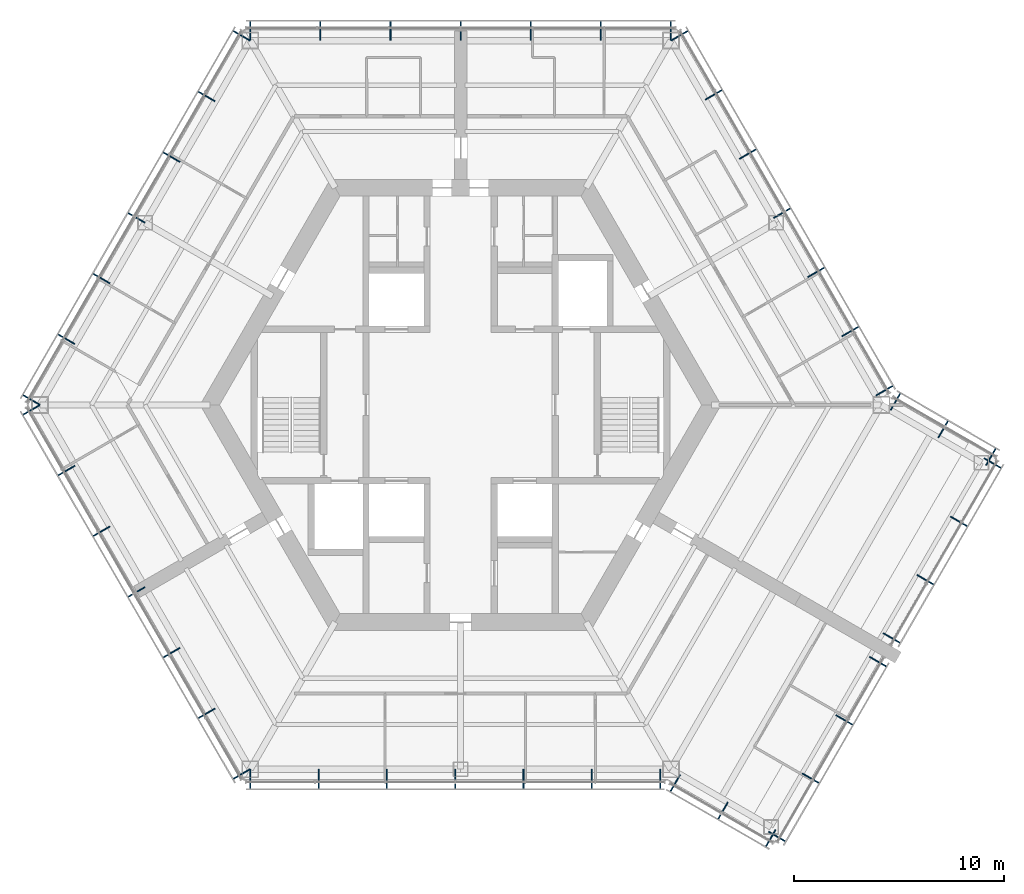
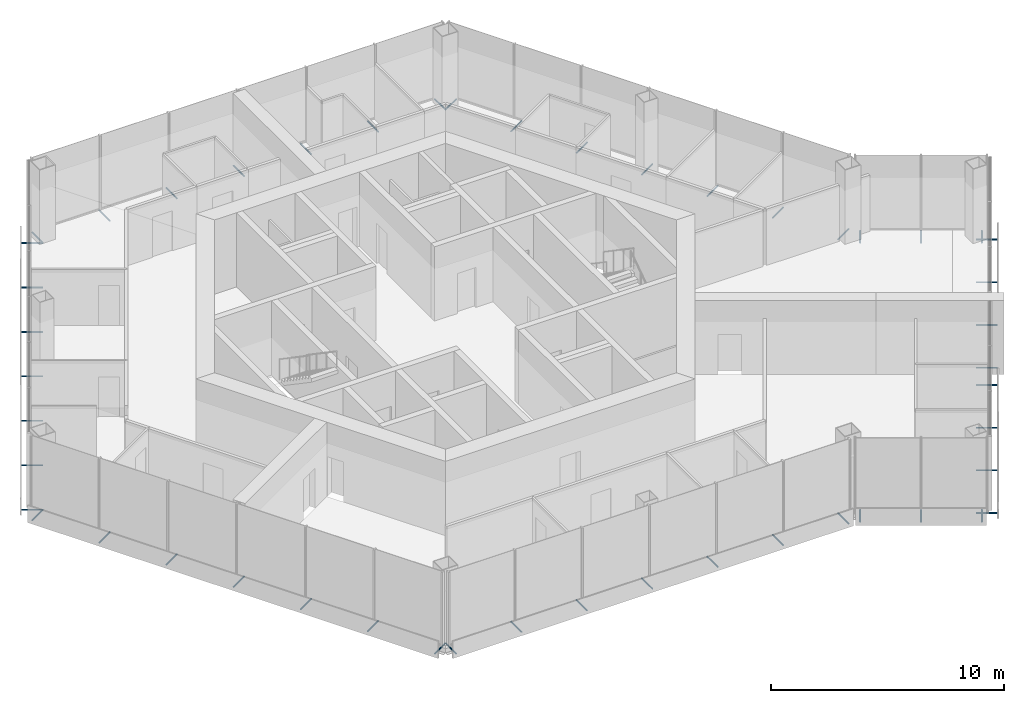
# One storey, part 11 of 13: 49 discrete accessories.
"""IFC4 building model written with IfcOpenShell, lengths in metres."""

from ifc_helpers import new_model, si_unit, direction, frame, origin, origin_2d, place, context, subcontext, project, spatial, hollow_circle, extrude, material, material_profile, profile_set, type_object, element, save


model = new_model("IFC4")

# Units and contexts
model_context = context("Model", 3, precision=1e-05, world=origin(), true_north=direction((0.0, 1.0)))
body_context = subcontext(model_context, "Body", "Model", "MODEL_VIEW")
ifc_project = project(units=[si_unit("LENGTHUNIT", "METRE"), si_unit("AREAUNIT", "SQUARE_METRE"), si_unit("VOLUMEUNIT", "CUBIC_METRE"), si_unit("PLANEANGLEUNIT", "RADIAN"), si_unit("MASSUNIT", "GRAM", prefix="KILO")], contexts=[model_context])

# Site, building, storey
site_placement = place(None, origin())
site = spatial("IfcSite", under=ifc_project, at=site_placement, CompositionType="ELEMENT")
building_placement = place(site_placement, origin())
building = spatial("IfcBuilding", under=site, at=building_placement, Name="Kasaneha Research Tower", CompositionType="ELEMENT")
storey_placement = place(building_placement, frame((0.0, 0.0, 275.199951171875)))
storey = spatial("IfcBuildingStorey", under=building, at=storey_placement, Name="L69", CompositionType="ELEMENT", Elevation=275.199951171875)

# Discrete accessories
ifc_material = material(Name="Steel STK400", Category="steel")
ifc_material_profile = material_profile(ifc_material, hollow_circle(Radius=0.0380859375, WallThickness=0.00390625, at=origin_2d()), Name="CHS-76.3x4.0")
ifc_profile_set = profile_set([ifc_material_profile], Name="Steel STK400")
discrete_accessory_type = type_object("IfcDiscreteAccessoryType", Name="Screen bracket CHS-76.3x4.0", PredefinedType="BRACKET", material=ifc_profile_set)
for number, where, z_axis, x_axis, name in (
    (1, (19.74462890625, 0.4423828125, -0.300048828125), (0.866013213425, 0.500021113727, 0.0), (-0.500021113727, 0.866013213425, 0.0), "Screen bracket 1"),
    (2, (18.120849609375, 3.2548828125, -0.300048828125), (0.866013213425, 0.500021113727, 0.0), (-0.500021113727, 0.866013213425, 0.0), "Screen bracket 2"),
    (3, (16.4970703125, 6.0673828125, -0.300048828125), (0.866013213425, 0.500021113727, 0.0), (-0.500021113727, 0.866013213425, 0.0), "Screen bracket 3"),
    (4, (14.873291015625, 8.8798828125, -0.300048828125), (0.866013213425, 0.500021113727, 0.0), (-0.500021113727, 0.866013213425, 0.0), "Screen bracket 4"),
    (5, (13.24951171875, 11.6923828125, -0.300048828125), (0.866013213425, 0.500021113727, 0.0), (-0.500021113727, 0.866013213425, 0.0), "Screen bracket 5"),
):
    element("IfcDiscreteAccessory", number, at=place(storey_placement, frame(where, z_axis=z_axis, x_axis=x_axis)), inside=storey, type_object=discrete_accessory_type, Name=name, PredefinedType="BRACKET", context=body_context, shape_type="SweptSolid", body=[
        extrude(hollow_circle(Radius=0.0380859375, WallThickness=0.00390625, at=origin_2d()), origin(), (0.0, 0.0, 1.0), 0.919921875),
    ])
for number, where, z_axis, x_axis, name in (
    (6, (11.62548828125, 14.5048828125, -0.300048828125), (0.866079547155, 0.499906209203, 0.0), (-0.499906209203, 0.866079547155, 0.0), "Screen bracket 6"),
    (7, (10.001708984375, 17.3173828125, -0.300048828125), (0.866079547155, 0.499906209203, 0.0), (-0.499906209203, 0.866079547155, 0.0), "Screen bracket 7"),
):
    element("IfcDiscreteAccessory", number, at=place(storey_placement, frame(where, z_axis=z_axis, x_axis=x_axis)), inside=storey, type_object=discrete_accessory_type, Name=name, PredefinedType="BRACKET", context=body_context, shape_type="SweptSolid", body=[
        extrude(hollow_circle(Radius=0.0380859375, WallThickness=0.00390625, at=origin_2d()), origin(), (0.0, 0.0, 1.0), 0.920166015625),
    ])
for number, where, z_axis, x_axis, name in (
    (8, (9.996337890625, 17.320556640625, -0.300048828125), (0.0, 1.0, 0.0), (-1.0, 0.0, 0.0), "Screen bracket 1"),
    (9, (6.664306640625, 17.320556640625, -0.300048828125), (0.0, 1.0, 0.0), (-1.0, 0.0, 0.0), "Screen bracket 2"),
    (10, (3.33203125, 17.320556640625, -0.300048828125), (0.0, 1.0, 0.0), (-1.0, 0.0, 0.0), "Screen bracket 3"),
    (11, (0.0, 17.320556640625, -0.300048828125), (0.0, 1.0, 0.0), (-1.0, 0.0, 0.0), "Screen bracket 4"),
    (12, (-3.33203125, 17.320556640625, -0.300048828125), (0.0, 1.0, 0.0), (-1.0, 0.0, 0.0), "Screen bracket 5"),
    (13, (-6.664306640625, 17.320556640625, -0.300048828125), (0.0, 1.0, 0.0), (-1.0, 0.0, 0.0), "Screen bracket 6"),
    (14, (-9.996337890625, 17.320556640625, -0.300048828125), (0.0, 1.0, 0.0), (-1.0, 0.0, 0.0), "Screen bracket 7"),
):
    element("IfcDiscreteAccessory", number, at=place(storey_placement, frame(where, z_axis=z_axis, x_axis=x_axis)), inside=storey, type_object=discrete_accessory_type, Name=name, PredefinedType="BRACKET", context=body_context, shape_type="SweptSolid", body=[
        extrude(hollow_circle(Radius=0.0380859375, WallThickness=0.00390625, at=origin_2d()), origin(), (0.0, 0.0, 1.0), 0.919921875),
    ])
discrete_accessory_1_placement = place(storey_placement, frame((-10.001708984375, 17.3173828125, -0.300048828125), z_axis=(-0.866079547155, 0.499906209203, 0.0), x_axis=(-0.499906209203, -0.866079547155, 0.0)))
element("IfcDiscreteAccessory", 15, at=discrete_accessory_1_placement, inside=storey, type_object=discrete_accessory_type, Name="Screen bracket 1", PredefinedType="BRACKET", context=body_context, shape_type="SweptSolid", body=[
    extrude(hollow_circle(Radius=0.0380859375, WallThickness=0.00390625, at=origin_2d()), origin(), (0.0, 0.0, 1.0), 0.920166015625),
])
for number, where, z_axis, x_axis, name in (
    (16, (-11.66796875, 14.431640625, -0.300048828125), (-0.866013213425, 0.500021113727, 0.0), (-0.500021113727, -0.866013213425, 0.0), "Screen bracket 2"),
    (17, (-13.333984375, 11.5458984375, -0.300048828125), (-0.866013213425, 0.500021113727, 0.0), (-0.500021113727, -0.866013213425, 0.0), "Screen bracket 3"),
    (18, (-15.0, 8.66015625, -0.300048828125), (-0.865898279276, 0.500220121494, 0.0), (-0.500220121494, -0.865898279276, 0.0), "Screen bracket 4"),
):
    element("IfcDiscreteAccessory", number, at=place(storey_placement, frame(where, z_axis=z_axis, x_axis=x_axis)), inside=storey, type_object=discrete_accessory_type, Name=name, PredefinedType="BRACKET", context=body_context, shape_type="SweptSolid", body=[
        extrude(hollow_circle(Radius=0.0380859375, WallThickness=0.00390625, at=origin_2d()), origin(), (0.0, 0.0, 1.0), 0.919921875),
    ])
for number, where, z_axis, x_axis, name in (
    (19, (-16.666015625, 5.774658203125, -0.300048828125), (-0.866079547155, 0.499906209203, 0.0), (-0.499906209203, -0.866079547155, 0.0), "Screen bracket 5"),
    (20, (-18.33203125, 2.888916015625, -0.300048828125), (-0.866079547155, 0.499906209203, 0.0), (-0.499906209203, -0.866079547155, 0.0), "Screen bracket 6"),
):
    element("IfcDiscreteAccessory", number, at=place(storey_placement, frame(where, z_axis=z_axis, x_axis=x_axis)), inside=storey, type_object=discrete_accessory_type, Name=name, PredefinedType="BRACKET", context=body_context, shape_type="SweptSolid", body=[
        extrude(hollow_circle(Radius=0.0380859375, WallThickness=0.00390625, at=origin_2d()), origin(), (0.0, 0.0, 1.0), 0.920166015625),
    ])
for number, where, z_axis, x_axis, name in (
    (21, (-19.998291015625, 0.003173828125, -0.300048828125), (-0.866013213425, 0.500021113727, 0.0), (-0.500021113727, -0.866013213425, 0.0), "Screen bracket 7"),
    (22, (-19.998291015625, -0.003173828125, -0.300048828125), (-0.866013213425, -0.500021113727, 0.0), (0.500021113727, -0.866013213425, 0.0), "Screen bracket 1"),
):
    element("IfcDiscreteAccessory", number, at=place(storey_placement, frame(where, z_axis=z_axis, x_axis=x_axis)), inside=storey, type_object=discrete_accessory_type, Name=name, PredefinedType="BRACKET", context=body_context, shape_type="SweptSolid", body=[
        extrude(hollow_circle(Radius=0.0380859375, WallThickness=0.00390625, at=origin_2d()), origin(), (0.0, 0.0, 1.0), 0.919921875),
    ])
for number, where, z_axis, x_axis, name in (
    (23, (-18.33203125, -2.888916015625, -0.300048828125), (-0.866079547155, -0.499906209203, 0.0), (0.499906209203, -0.866079547155, 0.0), "Screen bracket 2"),
    (24, (-16.666015625, -5.774658203125, -0.300048828125), (-0.866079547155, -0.499906209203, 0.0), (0.499906209203, -0.866079547155, 0.0), "Screen bracket 3"),
):
    element("IfcDiscreteAccessory", number, at=place(storey_placement, frame(where, z_axis=z_axis, x_axis=x_axis)), inside=storey, type_object=discrete_accessory_type, Name=name, PredefinedType="BRACKET", context=body_context, shape_type="SweptSolid", body=[
        extrude(hollow_circle(Radius=0.0380859375, WallThickness=0.00390625, at=origin_2d()), origin(), (0.0, 0.0, 1.0), 0.920166015625),
    ])
for number, where, z_axis, x_axis, name in (
    (25, (-15.0, -8.66015625, -0.300048828125), (-0.865898279276, -0.500220121494, 0.0), (0.500220121494, -0.865898279276, 0.0), "Screen bracket 4"),
    (26, (-13.333984375, -11.5458984375, -0.300048828125), (-0.866013213425, -0.500021113727, 0.0), (0.500021113727, -0.866013213425, 0.0), "Screen bracket 5"),
    (27, (-11.66796875, -14.431640625, -0.300048828125), (-0.866013213425, -0.500021113727, 0.0), (0.500021113727, -0.866013213425, 0.0), "Screen bracket 6"),
):
    element("IfcDiscreteAccessory", number, at=place(storey_placement, frame(where, z_axis=z_axis, x_axis=x_axis)), inside=storey, type_object=discrete_accessory_type, Name=name, PredefinedType="BRACKET", context=body_context, shape_type="SweptSolid", body=[
        extrude(hollow_circle(Radius=0.0380859375, WallThickness=0.00390625, at=origin_2d()), origin(), (0.0, 0.0, 1.0), 0.919921875),
    ])
discrete_accessory_2_placement = place(storey_placement, frame((-10.001708984375, -17.3173828125, -0.300048828125), z_axis=(-0.866079547155, -0.499906209203, 0.0), x_axis=(0.499906209203, -0.866079547155, 0.0)))
element("IfcDiscreteAccessory", 28, at=discrete_accessory_2_placement, inside=storey, type_object=discrete_accessory_type, Name="Screen bracket 7", PredefinedType="BRACKET", context=body_context, shape_type="SweptSolid", body=[
    extrude(hollow_circle(Radius=0.0380859375, WallThickness=0.00390625, at=origin_2d()), origin(), (0.0, 0.0, 1.0), 0.920166015625),
])
for number, where, z_axis, x_axis, name in (
    (29, (-9.996337890625, -17.320556640625, -0.300048828125), (0.0, -1.0, 0.0), (1.0, 0.0, 0.0), "Screen bracket 1"),
    (30, (-6.748779296875, -17.320556640625, -0.300048828125), (0.0, -1.0, 0.0), (1.0, 0.0, 0.0), "Screen bracket 2"),
    (31, (-3.501220703125, -17.320556640625, -0.300048828125), (0.0, -1.0, 0.0), (1.0, 0.0, 0.0), "Screen bracket 3"),
    (32, (-0.253662109375, -17.320556640625, -0.300048828125), (0.0, -1.0, 0.0), (1.0, 0.0, 0.0), "Screen bracket 4"),
    (33, (2.993896484375, -17.320556640625, -0.300048828125), (0.0, -1.0, 0.0), (1.0, 0.0, 0.0), "Screen bracket 5"),
    (34, (6.24169921875, -17.320556640625, -0.300048828125), (0.0, -1.0, 0.0), (1.0, 0.0, 0.0), "Screen bracket 6"),
    (35, (9.4892578125, -17.320556640625, -0.300048828125), (0.0, -1.0, 0.0), (1.0, 0.0, 0.0), "Screen bracket 7"),
    (36, (10.4423828125, -17.575927734375, -0.300048828125), (-0.500021113727, -0.866013213425, 0.0), (0.866013213425, -0.500021113727, 0.0), "Screen bracket 1"),
    (37, (12.7109375, -18.8857421875, -0.300048828125), (-0.500021113727, -0.866013213425, 0.0), (0.866013213425, -0.500021113727, 0.0), "Screen bracket 2"),
    (38, (14.979736328125, -20.195556640625, -0.300048828125), (-0.500220121494, -0.865898279276, 0.0), (0.865898279276, -0.500220121494, 0.0), "Screen bracket 3"),
    (39, (14.63818359375, -20.287109375, -0.300048828125), (0.866013213425, -0.500021113727, 0.0), (0.500021113727, 0.866013213425, 0.0), "Screen bracket 1"),
):
    element("IfcDiscreteAccessory", number, at=place(storey_placement, frame(where, z_axis=z_axis, x_axis=x_axis)), inside=storey, type_object=discrete_accessory_type, Name=name, PredefinedType="BRACKET", context=body_context, shape_type="SweptSolid", body=[
        extrude(hollow_circle(Radius=0.0380859375, WallThickness=0.00390625, at=origin_2d()), origin(), (0.0, 0.0, 1.0), 0.919921875),
    ])
discrete_accessory_3_placement = place(storey_placement, frame((16.238037109375, -17.515625, -0.300048828125), z_axis=(0.865964657013, -0.500105201737, 0.0), x_axis=(0.500105201737, 0.865964657013, 0.0)))
element("IfcDiscreteAccessory", 40, at=discrete_accessory_3_placement, inside=storey, type_object=discrete_accessory_type, Name="Screen bracket 2", PredefinedType="BRACKET", context=body_context, shape_type="SweptSolid", body=[
    extrude(hollow_circle(Radius=0.0380859375, WallThickness=0.00390625, at=origin_2d()), origin(), (0.0, 0.0, 1.0), 0.920166015625),
])
for number, where, z_axis, x_axis, name in (
    (41, (17.838134765625, -14.744384765625, -0.300048828125), (0.866013213425, -0.500021113727, 0.0), (0.500021113727, 0.866013213425, 0.0), "Screen bracket 3"),
    (42, (19.438232421875, -11.97314453125, -0.300048828125), (0.866013213425, -0.500021113727, 0.0), (0.500021113727, 0.866013213425, 0.0), "Screen bracket 4"),
    (43, (20.088134765625, -10.847412109375, -0.300048828125), (0.866013213425, -0.500021113727, 0.0), (0.500021113727, 0.866013213425, 0.0), "Screen bracket 1"),
    (44, (21.688232421875, -8.076171875, -0.300048828125), (0.866013213425, -0.500021113727, 0.0), (0.500021113727, 0.866013213425, 0.0), "Screen bracket 2"),
):
    element("IfcDiscreteAccessory", number, at=place(storey_placement, frame(where, z_axis=z_axis, x_axis=x_axis)), inside=storey, type_object=discrete_accessory_type, Name=name, PredefinedType="BRACKET", context=body_context, shape_type="SweptSolid", body=[
        extrude(hollow_circle(Radius=0.0380859375, WallThickness=0.00390625, at=origin_2d()), origin(), (0.0, 0.0, 1.0), 0.919921875),
    ])
discrete_accessory_4_placement = place(storey_placement, frame((23.2880859375, -5.3046875, -0.300048828125), z_axis=(0.865964657013, -0.500105201737, 0.0), x_axis=(0.500105201737, 0.865964657013, 0.0)))
element("IfcDiscreteAccessory", 45, at=discrete_accessory_4_placement, inside=storey, type_object=discrete_accessory_type, Name="Screen bracket 3", PredefinedType="BRACKET", context=body_context, shape_type="SweptSolid", body=[
    extrude(hollow_circle(Radius=0.0380859375, WallThickness=0.00390625, at=origin_2d()), origin(), (0.0, 0.0, 1.0), 0.920166015625),
])
for number, where, z_axis, x_axis, name in (
    (46, (24.88818359375, -2.533447265625, -0.300048828125), (0.866013213425, -0.500021113727, 0.0), (0.500021113727, 0.866013213425, 0.0), "Screen bracket 4"),
    (47, (24.979736328125, -2.875, -0.300048828125), (0.500021113727, 0.866013213425, 0.0), (-0.866013213425, 0.500021113727, 0.0), "Screen bracket 1"),
    (48, (22.7109375, -1.565185546875, -0.300048828125), (0.500021113727, 0.866013213425, 0.0), (-0.866013213425, 0.500021113727, 0.0), "Screen bracket 2"),
    (49, (20.4423828125, -0.25537109375, -0.300048828125), (0.500021113727, 0.866013213425, 0.0), (-0.866013213425, 0.500021113727, 0.0), "Screen bracket 3"),
):
    element("IfcDiscreteAccessory", number, at=place(storey_placement, frame(where, z_axis=z_axis, x_axis=x_axis)), inside=storey, type_object=discrete_accessory_type, Name=name, PredefinedType="BRACKET", context=body_context, shape_type="SweptSolid", body=[
        extrude(hollow_circle(Radius=0.0380859375, WallThickness=0.00390625, at=origin_2d()), origin(), (0.0, 0.0, 1.0), 0.919921875),
    ])

save(model, "model.ifc")
